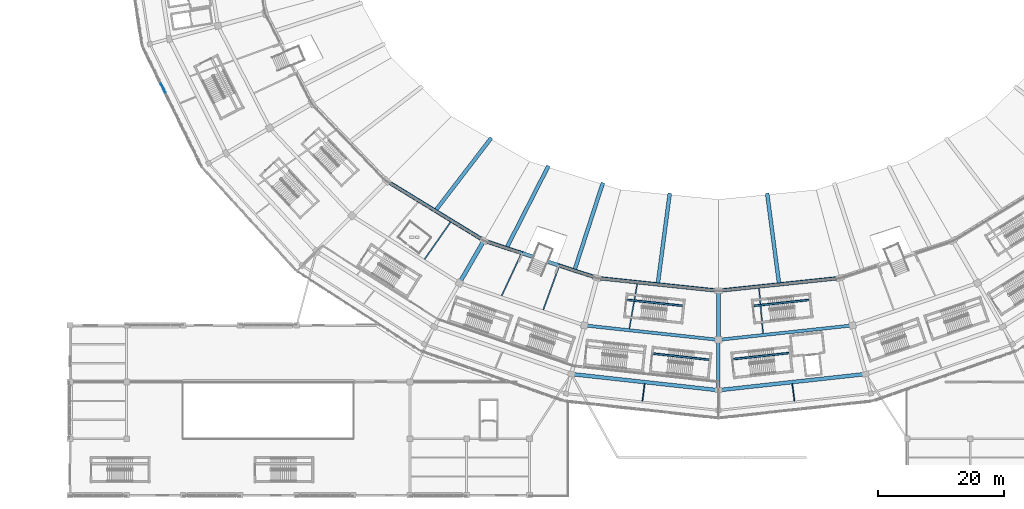
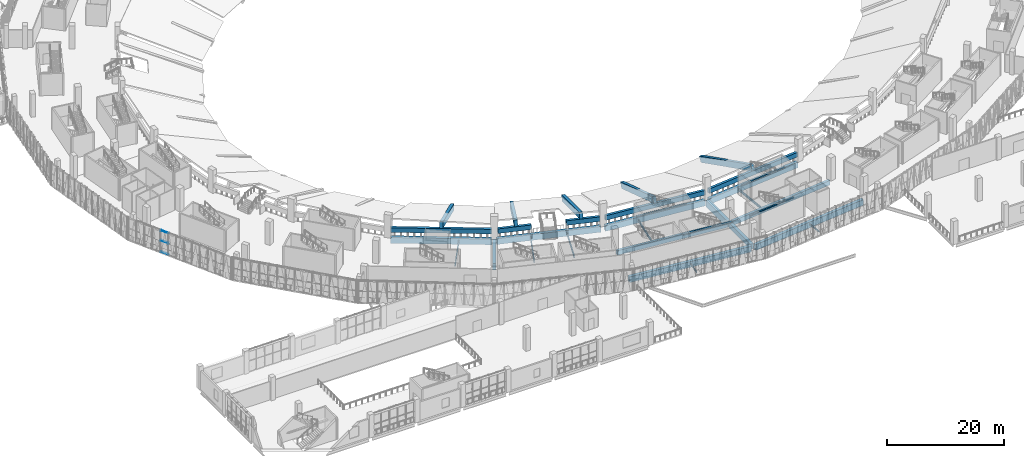
# One storey, part 18 of 183: 32 beams, 3 members, 1 element without a shape of its own.
"""IFC4 building model written with IfcOpenShell, lengths in metres."""

import ifcopenshell
import ifcopenshell.guid

model = None  # the IFC model being written
_history = None  # IfcOwnerHistory: only IFC2X3 demands one
_inside = {}  # id of a spatial element -> (the spatial element, [elements in it])
_under = {}  # id of a project, library or spatial element -> (it, [spatial elements below it])
_declared = {}  # id of a project -> (the project, [libraries it declares])
_typed = {}  # id of a type object -> (the type object, [elements of that type])
_made_of = {}  # id of a material, layer set ... -> (it, [elements and type objects made of it])


def new_model(schema):
    """Start an empty IFC model of exactly this schema.

    Asked for "IFC4X3", IfcOpenShell would pick the latest addendum, in which some entities
    have other attributes; the version numbers below select the first issue.
    IFC2X3 requires an IfcOwnerHistory on every rooted entity: one is made here for all.
    """
    global model, _history
    if schema == "IFC4X3":
        model = ifcopenshell.file(schema_version=(4, 3, 0, 0))
    else:
        model = ifcopenshell.file(schema=schema)
    _inside.clear()
    _under.clear()
    _declared.clear()
    _typed.clear()
    _made_of.clear()
    _history = None
    if model.schema == "IFC2X3":
        org = make("IfcOrganization", Name="unknown")
        user = make(
            "IfcPersonAndOrganization",
            ThePerson=make("IfcPerson", FamilyName="unknown"),
            TheOrganization=org,
        )
        app = make(
            "IfcApplication",
            ApplicationDeveloper=org,
            Version="unknown",
            ApplicationFullName="unknown",
            ApplicationIdentifier="unknown",
        )
        _history = make(
            "IfcOwnerHistory",
            OwningUser=user,
            OwningApplication=app,
            ChangeAction="ADDED",
            CreationDate=0,
        )
    return model


def make(cls, **values):
    """One entity of the class cls with the attributes given. An attribute that is None is left unset."""
    return model.create_entity(
        cls, **{name: value for name, value in values.items() if value is not None}
    )


def rooted(cls, **values):
    """An entity with a GlobalId (a new one), such as an element, a storey or a relation."""
    return make(cls, GlobalId=ifcopenshell.guid.new(), OwnerHistory=_history, **values)


def si_unit(unit_type, name, prefix=None):
    """IfcSIUnit, for example si_unit("LENGTHUNIT", "METRE", prefix="MILLI")."""
    return make("IfcSIUnit", UnitType=unit_type, Prefix=prefix, Name=name)


def assignment(units):
    """IfcUnitAssignment: the units of a project."""
    return None if units is None else make("IfcUnitAssignment", Units=units)


def point(xyz):
    """IfcCartesianPoint."""
    return None if xyz is None else make("IfcCartesianPoint", Coordinates=xyz)


def direction(xyz):
    """IfcDirection."""
    return None if xyz is None else make("IfcDirection", DirectionRatios=xyz)


def frame(location, z_axis=None, x_axis=None):
    """IfcAxis2Placement3D, a coordinate frame: its origin and axes. An axis left out is left unset."""
    return make(
        "IfcAxis2Placement3D",
        Location=point(location),
        Axis=direction(z_axis),
        RefDirection=direction(x_axis),
    )


def frame_2d(location, x_axis=None):
    """IfcAxis2Placement2D, a coordinate frame in the plane: its origin and x axis."""
    return make(
        "IfcAxis2Placement2D", Location=point(location), RefDirection=direction(x_axis)
    )


def origin():
    """The frame at (0, 0, 0) with its axes left unset."""
    return frame((0.0, 0.0, 0.0))


def origin_2d():
    """The frame at (0, 0) in the plane with its x axis left unset."""
    return frame_2d((0.0, 0.0))


def place(relative_to, where):
    """IfcLocalPlacement: puts the frame where relative to a parent placement (None: the world)."""
    return make(
        "IfcLocalPlacement", PlacementRelTo=relative_to, RelativePlacement=where
    )


def context(
    kind, dimensions, precision=None, world=None, true_north=None, identifier=None
):
    """IfcGeometricRepresentationContext, for example the 3D "Model" context."""
    return make(
        "IfcGeometricRepresentationContext",
        ContextIdentifier=identifier,
        ContextType=kind,
        CoordinateSpaceDimension=dimensions,
        Precision=precision,
        WorldCoordinateSystem=world,
        TrueNorth=true_north,
    )


def subcontext(parent, identifier, kind, view, scale=None):
    """IfcGeometricRepresentationSubContext, for example "Body" below "Model"."""
    return make(
        "IfcGeometricRepresentationSubContext",
        ContextIdentifier=identifier,
        ContextType=kind,
        ParentContext=parent,
        TargetScale=scale,
        TargetView=view,
    )


def project(units=None, contexts=None):
    """IfcProject with its units and contexts."""
    return rooted(
        "IfcProject",
        Name="project",
        RepresentationContexts=contexts,
        UnitsInContext=assignment(units),
    )


def spatial(cls, under=None, at=None, **own):
    """A site, building, storey or space (cls), placed at a placement, below another one or the project."""
    s = rooted(cls, ObjectPlacement=at, **own)
    if under is not None:
        _under.setdefault(under.id(), (under, []))[1].append(s)
    return s


def profile(cls, at=None, kind="AREA", **sizes):
    """A parametric profile (cls). Its sizes go by their IFC names, for example OverallWidth=200.0."""
    return make(cls, ProfileType=kind, Position=at, **sizes)


def rectangle(**sizes):
    """IfcRectangleProfileDef."""
    return profile("IfcRectangleProfileDef", **sizes)


def i_section(**sizes):
    """IfcIShapeProfileDef."""
    return profile("IfcIShapeProfileDef", **sizes)


def extrude(swept, where, along, depth):
    """IfcExtrudedAreaSolid: the profile swept, set in the frame where, extruded along a direction by depth."""
    return make(
        "IfcExtrudedAreaSolid",
        SweptArea=swept,
        Position=where,
        ExtrudedDirection=direction(along),
        Depth=depth,
    )


def shape(context_of_items, identifier, shape_type, items):
    """IfcShapeRepresentation: the items that make up one representation, for example the "Body"."""
    return make(
        "IfcShapeRepresentation",
        ContextOfItems=context_of_items,
        RepresentationIdentifier=identifier,
        RepresentationType=shape_type,
        Items=items,
    )


def material(Name=None, Category=None):
    """IfcMaterial."""
    return make("IfcMaterial", Name=Name, Category=Category)


def material_profile(
    of_material, cross_section, Name=None, Category=None, Priority=None
):
    """IfcMaterialProfile: a cross section and its material."""
    return make(
        "IfcMaterialProfile",
        Name=Name,
        Material=of_material,
        Profile=cross_section,
        Priority=Priority,
        Category=Category,
    )


def profile_set(profiles, Name=None, composite=None):
    """IfcMaterialProfileSet."""
    return make(
        "IfcMaterialProfileSet",
        Name=Name,
        MaterialProfiles=profiles,
        CompositeProfile=composite,
    )


def made_of(thing, what):
    """Note that an element or type object is made of a material, layer set ...; save() writes the relation."""
    if what is not None:
        _made_of.setdefault(what.id(), (what, []))[1].append(thing)
    return thing


def type_object(cls, material=None, **own):
    """A type object (cls), such as IfcWallType, which elements share."""
    return made_of(rooted(cls, **own), material)


def element(
    cls,
    number,
    at=None,
    inside=None,
    cuts=None,
    type_object=None,
    material=None,
    context=None,
    identifier="Body",
    shape_type=None,
    held_by="IfcProductDefinitionShape",
    body=None,
    shapes=None,
    **own,
):
    """One element of the class cls, such as IfcWall. Its Tag is "e" and its number.

    at: its placement. inside: the storey or other place that contains it. cuts: it is an
    opening in that element (IfcRelVoidsElement). A single representation is given by context,
    identifier, shape_type and body (its items); several are given by shapes. held_by: the class
    of the entity that holds the representations. save() writes the other relations.
    """
    e = rooted(cls, Tag="e%d" % number, ObjectPlacement=at, **own)
    if body is not None:
        shapes = [shape(context, identifier, shape_type, body)]
    if shapes is not None:
        e.Representation = make(held_by, Representations=shapes)
    if inside is not None:
        _inside.setdefault(inside.id(), (inside, []))[1].append(e)
    if cuts is not None:
        rooted(
            "IfcRelVoidsElement", RelatingBuildingElement=cuts, RelatedOpeningElement=e
        )
    if type_object is not None:
        _typed.setdefault(type_object.id(), (type_object, []))[1].append(e)
    return made_of(e, material)


def aggregate(whole, parts):
    """IfcRelAggregates: a whole, such as a stair, and the parts it consists of."""
    return rooted("IfcRelAggregates", RelatingObject=whole, RelatedObjects=parts)


def save(model, path):
    """Write the relations noted so far, then the file.

    IfcRelAggregates (storeys below a building ...), IfcRelContainedInSpatialStructure (elements
    in a storey), IfcRelDefinesByType, IfcRelAssociatesMaterial and IfcRelDeclares: one each for
    every whole, place, type object, material and project.
    """
    for whole, parts in _under.values():
        aggregate(whole, parts)
    for where, things in _inside.values():
        rooted(
            "IfcRelContainedInSpatialStructure",
            RelatedElements=things,
            RelatingStructure=where,
        )
    for kind, things in _typed.values():
        rooted("IfcRelDefinesByType", RelatedObjects=things, RelatingType=kind)
    for what, things in _made_of.values():
        rooted("IfcRelAssociatesMaterial", RelatedObjects=things, RelatingMaterial=what)
    for by, libraries in _declared.values():
        rooted("IfcRelDeclares", RelatingContext=by, RelatedDefinitions=libraries)
    model.write(path)


model = new_model("IFC4")

# Units and contexts
model_context = context("Model", 3, precision=1e-05, world=origin(), true_north=direction((0.0, 1.0)))
body_context = subcontext(model_context, "Body", "Model", "MODEL_VIEW")
ifc_project = project(units=[si_unit("LENGTHUNIT", "METRE"), si_unit("AREAUNIT", "SQUARE_METRE"), si_unit("VOLUMEUNIT", "CUBIC_METRE"), si_unit("PLANEANGLEUNIT", "RADIAN"), si_unit("MASSUNIT", "GRAM", prefix="KILO")], contexts=[model_context])

# Site, building, storey
site_placement = place(None, origin())
site = spatial("IfcSite", under=ifc_project, at=site_placement, CompositionType="ELEMENT")
building_placement = place(site_placement, origin())
building = spatial("IfcBuilding", under=site, at=building_placement, Name="Zevraka Park Crest Stadium", CompositionType="ELEMENT")
storey_placement = place(building_placement, frame((0.0, 0.0, 5.39990234375)))
storey = spatial("IfcBuildingStorey", under=building, at=storey_placement, Name="L01", CompositionType="ELEMENT", Elevation=5.39990234375)

# Beams
ifc_material_1 = material(Name="Concrete C40/50", Category="concrete")
ifc_material_profile_1 = material_profile(ifc_material_1, rectangle(XDim=0.64990234375, YDim=1.35009765625, at=origin_2d()), Name="RC 1350x650")
ifc_profile_set_1 = profile_set([ifc_material_profile_1], Name="Concrete C40/50")
beam_type_1 = type_object("IfcBeamType", Name="BG01", PredefinedType="BEAM", material=ifc_profile_set_1)
beam_1_placement = place(storey_placement, frame((74.60009765625, 40.2109375, -0.684814453125), z_axis=(-0.500041424909, -0.866001485781, 0.0), x_axis=(0.866001485781, -0.500041424909, 0.0)))
element("IfcBeam", 1, at=beam_1_placement, inside=storey, type_object=beam_type_1, Name="Radial Girder BG01 L01-BC-16", PredefinedType="BEAM", context=body_context, shape_type="SweptSolid", body=[
    extrude(rectangle(XDim=0.64990234375, YDim=1.35009765625, at=origin_2d()), origin(), (0.0, 0.0, 1.0), 7.19970703125),
])
beam_2_placement = place(storey_placement, frame((112.0, 32.199951171875, -0.684814453125), z_axis=(0.0, -1.0, 0.0), x_axis=(1.0, 0.0, 0.0)))
element("IfcBeam", 2, at=beam_2_placement, inside=storey, type_object=beam_type_1, Name="Radial Girder BG01 L01-BC-18", PredefinedType="BEAM", context=body_context, shape_type="SweptSolid", body=[
    extrude(rectangle(XDim=0.64990234375, YDim=1.35009765625, at=origin_2d()), origin(), (0.0, 0.0, 1.0), 7.199951171875),
])
ifc_material_2 = material(Name="Concrete C40/50", Category="concrete")
ifc_material_profile_2 = material_profile(ifc_material_2, rectangle(XDim=0.550048828125, YDim=1.10009765625, at=origin_2d()), Name="RC 1100x550")
ifc_profile_set_2 = profile_set([ifc_material_profile_2], Name="Concrete C40/50")
beam_type_2 = type_object("IfcBeamType", Name="BG02", PredefinedType="BEAM", material=ifc_profile_set_2)
beam_3_placement = place(storey_placement, frame((112.0, 24.39990234375, -0.559814453125), z_axis=(0.0, -1.0, 0.0), x_axis=(1.0, 0.0, 0.0)))
element("IfcBeam", 3, at=beam_3_placement, inside=storey, type_object=beam_type_2, Name="Radial Girder BG02 L01-CD-18", PredefinedType="BEAM", context=body_context, shape_type="SweptSolid", body=[
    extrude(rectangle(XDim=0.550048828125, YDim=1.10009765625, at=origin_2d()), origin(), (0.0, 0.0, 1.0), 7.39990234375),
])

# Curtain wall, members
ifc_material_3 = material(Name="Anodised architectural aluminium and laminated safety glass", Category="aluminium")
curtain_wall_type = type_object("IfcCurtainWallType", Name="CW02", PredefinedType="NOTDEFINED", material=ifc_material_3)
curtain_wall_placement = place(storey_placement, origin())
curtain_wall = element("IfcCurtainWall", 4, at=curtain_wall_placement, inside=storey, type_object=curtain_wall_type, Name="Unitised Ring Curtain Wall CW02 L01-13", PredefinedType="NOTDEFINED")
ifc_material_4 = material(Name="Anodised architectural aluminium", Category="aluminium")
ifc_material_profile_3 = material_profile(ifc_material_4, rectangle(XDim=0.139892578125, YDim=0.06494140625, at=origin_2d()), Name="ALU TRANSOM 140x65")
ifc_profile_set_3 = profile_set([ifc_material_profile_3], Name="Anodised architectural aluminium")
member_type = type_object("IfcMemberType", Name="CT02", PredefinedType="USERDEFINED", material=ifc_profile_set_3)
member_1_placement = place(storey_placement, frame((23.454345703125, 65.38232421875, 0.03271484375), z_axis=(0.441457762434, -0.897282031463, 0.0), x_axis=(0.897282031463, 0.441457762434, 0.0)))
member_1 = element("IfcMember", 5, at=member_1_placement, type_object=member_type, Name="CW02 transom 5.1", ObjectType="TRANSOM", PredefinedType="USERDEFINED", context=body_context, shape_type="SweptSolid", body=[
    extrude(rectangle(XDim=0.139892578125, YDim=0.06494140625, at=origin_2d()), origin(), (0.0, 0.0, 1.0), 1.5634765625),
])
member_2_placement = place(storey_placement, frame((23.454345703125, 65.38232421875, 2.400146484375), z_axis=(0.441457762434, -0.897282031463, 0.0), x_axis=(0.897282031463, 0.441457762434, 0.0)))
member_2 = element("IfcMember", 6, at=member_2_placement, type_object=member_type, Name="CW02 transom 5.2", ObjectType="TRANSOM", PredefinedType="USERDEFINED", context=body_context, shape_type="SweptSolid", body=[
    extrude(rectangle(XDim=0.139892578125, YDim=0.06494140625, at=origin_2d()), origin(), (0.0, 0.0, 1.0), 1.5634765625),
])
member_3_placement = place(storey_placement, frame((23.454345703125, 65.38232421875, 4.487548828125), z_axis=(0.441457762434, -0.897282031463, 0.0), x_axis=(0.897282031463, 0.441457762434, 0.0)))
member_3 = element("IfcMember", 7, at=member_3_placement, type_object=member_type, Name="CW02 transom 5.3", ObjectType="TRANSOM", PredefinedType="USERDEFINED", context=body_context, shape_type="SweptSolid", body=[
    extrude(rectangle(XDim=0.139892578125, YDim=0.06494140625, at=origin_2d()), origin(), (0.0, 0.0, 1.0), 1.5634765625),
])
aggregate(curtain_wall, [member_1, member_2, member_3])

# Beams
ifc_material_5 = material(Name="Concrete C40/50", Category="concrete")
ifc_material_profile_4 = material_profile(ifc_material_5, rectangle(XDim=0.60009765625, YDim=1.199951171875, at=origin_2d()), Name="RC 1200x600")
ifc_profile_set_4 = profile_set([ifc_material_profile_4], Name="Concrete C40/50")
beam_type_3 = type_object("IfcBeamType", Name="RB01", PredefinedType="BEAM", material=ifc_profile_set_4)
beam_4_placement = place(storey_placement, frame((59.64501953125, 49.72802734375, -0.60986328125), z_axis=(0.852632623571, -0.522510869956, 0.0), x_axis=(0.522510869956, 0.852632623571, 0.0)))
element("IfcBeam", 8, at=beam_4_placement, inside=storey, type_object=beam_type_3, Name="Ring Beam RB01 L01-B-15", PredefinedType="BEAM", context=body_context, shape_type="SweptSolid", body=[
    extrude(rectangle(XDim=0.60009765625, YDim=1.199951171875, at=origin_2d()), origin(), (0.0, 0.0, 1.0), 17.335693359375),
])
beam_5_placement = place(storey_placement, frame((75.111083984375, 40.35205078125, -0.60986328125), z_axis=(0.949383863235, -0.314118258349, 0.0), x_axis=(0.314118258349, 0.949383863235, 0.0)))
element("IfcBeam", 9, at=beam_5_placement, inside=storey, type_object=beam_type_3, Name="Ring Beam RB01 L01-B-16", PredefinedType="BEAM", context=body_context, shape_type="SweptSolid", body=[
    extrude(rectangle(XDim=0.60009765625, YDim=1.199951171875, at=origin_2d()), origin(), (0.0, 0.0, 1.0), 18.165283203125),
])
beam_6_placement = place(storey_placement, frame((93.095947265625, 34.487060546875, -0.60986328125), z_axis=(0.994522746434, -0.1045203656, 0.0), x_axis=(0.1045203656, 0.994522746434, 0.0)))
element("IfcBeam", 10, at=beam_6_placement, inside=storey, type_object=beam_type_3, Name="Ring Beam RB01 L01-B-17", PredefinedType="BEAM", context=body_context, shape_type="SweptSolid", body=[
    extrude(rectangle(XDim=0.60009765625, YDim=1.199951171875, at=origin_2d()), origin(), (0.0, 0.0, 1.0), 18.628173828125),
])
beam_7_placement = place(storey_placement, frame((89.007080078125, 19.22509765625, -0.60986328125), z_axis=(0.994021150509, -0.109187693174, 0.0), x_axis=(0.109187693174, 0.994021150509, 0.0)))
element("IfcBeam", 11, at=beam_7_placement, inside=storey, type_object=beam_type_3, Name="Ring Beam RB01 L01-D-17", PredefinedType="BEAM", context=body_context, shape_type="SweptSolid", body=[
    extrude(rectangle(XDim=0.60009765625, YDim=1.199951171875, at=origin_2d()), origin(), (0.0, 0.0, 1.0), 22.7509765625),
])
beam_8_placement = place(storey_placement, frame((112.3779296875, 32.5400390625, -0.60986328125), z_axis=(0.994522746434, 0.1045203656, 0.0), x_axis=(-0.1045203656, 0.994522746434, 0.0)))
element("IfcBeam", 12, at=beam_8_placement, inside=storey, type_object=beam_type_3, Name="Ring Beam RB01 L01-B-18", PredefinedType="BEAM", context=body_context, shape_type="SweptSolid", body=[
    extrude(rectangle(XDim=0.60009765625, YDim=1.199951171875, at=origin_2d()), origin(), (0.0, 0.0, 1.0), 18.628173828125),
])
beam_9_placement = place(storey_placement, frame((112.3779296875, 16.740966796875, -0.60986328125), z_axis=(0.994021150509, 0.109187693174, 0.0), x_axis=(-0.109187693174, 0.994021150509, 0.0)))
element("IfcBeam", 13, at=beam_9_placement, inside=storey, type_object=beam_type_3, Name="Ring Beam RB01 L01-D-18", PredefinedType="BEAM", context=body_context, shape_type="SweptSolid", body=[
    extrude(rectangle(XDim=0.60009765625, YDim=1.199951171875, at=origin_2d()), origin(), (0.0, 0.0, 1.0), 22.7509765625),
])
ifc_material_6 = material(Name="Concrete C40/50", Category="concrete")
ifc_material_profile_5 = material_profile(ifc_material_6, rectangle(XDim=0.5, YDim=0.949951171875, at=origin_2d()), Name="RC 950x500")
ifc_profile_set_5 = profile_set([ifc_material_profile_5], Name="Concrete C40/50")
beam_type_4 = type_object("IfcBeamType", Name="RB02", PredefinedType="BEAM", material=ifc_profile_set_5)
for number, where, z_axis, x_axis, name in (
    (14, (91.076904296875, 26.951904296875, -0.48486328125), (0.994259477334, -0.106995755668, 0.0), (0.106995755668, 0.994259477334, 0.0), "Ring Beam RB02 L01-C-17"),
    (15, (112.3779296875, 24.740966796875, -0.48486328125), (0.994259477334, 0.106995755668, 0.0), (-0.106995755668, 0.994259477334, 0.0), "Ring Beam RB02 L01-C-18"),
):
    element("IfcBeam", number, at=place(storey_placement, frame(where, z_axis=z_axis, x_axis=x_axis)), inside=storey, type_object=beam_type_4, Name=name, PredefinedType="BEAM", context=body_context, shape_type="SweptSolid", body=[
        extrude(rectangle(XDim=0.5, YDim=0.949951171875, at=origin_2d()), origin(), (0.0, 0.0, 1.0), 20.663818359375),
    ])
beam_10_placement = place(storey_placement, frame((59.64501953125, 49.72802734375, 1.505126953125), z_axis=(0.852632623571, -0.522510869956, 0.0), x_axis=(0.522510869956, 0.852632623571, 0.0)))
element("IfcBeam", 16, at=beam_10_placement, inside=storey, type_object=beam_type_4, Name="Lower Tier Head Raker Ring Beam RB02 15", PredefinedType="BEAM", context=body_context, shape_type="SweptSolid", body=[
    extrude(rectangle(XDim=0.5, YDim=0.949951171875, at=origin_2d()), origin(), (0.0, 0.0, 1.0), 17.335693359375),
])
for number, where, z_axis, x_axis, name in (
    (17, (75.2890625, 40.29296875, 1.505126953125), (0.949375956717, -0.31414215382, 0.0), (0.31414215382, 0.949375956717, 0.0), "Lower Tier Head Raker Ring Beam RB02 16-1"),
    (18, (86.60888671875, 36.548095703125, 1.505126953125), (0.949380063139, -0.314129743442, 0.0), (0.314129743442, 0.949380063139, 0.0), "Lower Tier Head Raker Ring Beam RB02 16-2"),
):
    element("IfcBeam", number, at=place(storey_placement, frame(where, z_axis=z_axis, x_axis=x_axis)), inside=storey, type_object=beam_type_4, Name=name, PredefinedType="BEAM", context=body_context, shape_type="SweptSolid", body=[
        extrude(rectangle(XDim=0.5, YDim=0.949951171875, at=origin_2d()), origin(), (0.0, 0.0, 1.0), 5.866943359375),
    ])
for number, where, z_axis, x_axis, name in (
    (19, (93.095947265625, 34.487060546875, 1.505126953125), (0.994522746434, -0.1045203656, 0.0), (0.1045203656, 0.994522746434, 0.0), "Lower Tier Head Raker Ring Beam RB02 17"),
    (20, (112.3779296875, 32.5400390625, 1.505126953125), (0.994522746434, 0.1045203656, 0.0), (-0.1045203656, 0.994522746434, 0.0), "Lower Tier Head Raker Ring Beam RB02 18"),
):
    element("IfcBeam", number, at=place(storey_placement, frame(where, z_axis=z_axis, x_axis=x_axis)), inside=storey, type_object=beam_type_4, Name=name, PredefinedType="BEAM", context=body_context, shape_type="SweptSolid", body=[
        extrude(rectangle(XDim=0.5, YDim=0.949951171875, at=origin_2d()), origin(), (0.0, 0.0, 1.0), 18.628173828125),
    ])
ifc_material_7 = material(Name="Concrete C40/50", Category="concrete")
ifc_material_profile_6 = material_profile(ifc_material_7, rectangle(XDim=0.60009765625, YDim=1.199951171875, at=origin_2d()), Name="RC 1200x600")
ifc_profile_set_6 = profile_set([ifc_material_profile_6], Name="Concrete C40/50")
beam_type_5 = type_object("IfcBeamType", Name="RK01", PredefinedType="BEAM", material=ifc_profile_set_6)
beam_11_placement = place(storey_placement, frame((75.787109375, 56.60400390625, -3.64990234375), z_axis=(-0.55912472884, -0.728679361355, 0.39548189078), x_axis=(0.793358919709, -0.608754157701, 0.0)))
element("IfcBeam", 21, at=beam_11_placement, inside=storey, type_object=beam_type_5, Name="Lower Bowl Raker Girder RK01 15", PredefinedType="BEAM", context=body_context, shape_type="SweptSolid", body=[
    extrude(rectangle(XDim=0.60009765625, YDim=1.199951171875, at=origin_2d()), origin(), (0.0, 0.0, 1.0), 15.651611328125),
])
beam_12_placement = place(storey_placement, frame((84.89404296875, 52.1298828125, -3.64990234375), z_axis=(-0.417372414176, -0.818674691416, 0.39442618767), x_axis=(0.890902251641, -0.454195088063, 0.0)))
element("IfcBeam", 22, at=beam_12_placement, inside=storey, type_object=beam_type_5, Name="Lower Bowl Raker Girder RK01 16-1", PredefinedType="BEAM", context=body_context, shape_type="SweptSolid", body=[
    extrude(rectangle(XDim=0.60009765625, YDim=1.199951171875, at=origin_2d()), origin(), (0.0, 0.0, 1.0), 15.693603515625),
])
beam_13_placement = place(storey_placement, frame((93.576904296875, 49.431884765625, -3.64990234375), z_axis=(-0.283751225252, -0.874014136446, 0.394442050827), x_axis=(0.95113106587, -0.308787460135, 0.0)))
element("IfcBeam", 23, at=beam_13_placement, inside=storey, type_object=beam_type_5, Name="Lower Bowl Raker Girder RK01 16-2", PredefinedType="BEAM", context=body_context, shape_type="SweptSolid", body=[
    extrude(rectangle(XDim=0.60009765625, YDim=1.199951171875, at=origin_2d()), origin(), (0.0, 0.0, 1.0), 15.69287109375),
])
for number, where, z_axis, x_axis, name in (
    (24, (104.236083984375, 47.76611328125, -3.64990234375), (-0.11993845538, -0.91060569771, 0.395489608232), (0.991437118626, -0.130584990752, 0.0), "Lower Bowl Raker Girder RK01 17"),
    (25, (119.763916015625, 47.76611328125, -3.64990234375), (0.11993845538, -0.91060569771, 0.395489608232), (0.991437118626, 0.130584990752, 0.0), "Lower Bowl Raker Girder RK01 18"),
):
    element("IfcBeam", number, at=place(storey_placement, frame(where, z_axis=z_axis, x_axis=x_axis)), inside=storey, type_object=beam_type_5, Name=name, PredefinedType="BEAM", context=body_context, shape_type="SweptSolid", body=[
        extrude(rectangle(XDim=0.60009765625, YDim=1.199951171875, at=origin_2d()), origin(), (0.0, 0.0, 1.0), 15.6513671875),
    ])
ifc_material_8 = material(Name="Steel S355", Category="steel")
ifc_material_profile_7 = material_profile(ifc_material_8, i_section(OverallWidth=0.14990234375, OverallDepth=0.300048828125, WebThickness=0.007080078125, FlangeThickness=0.0107421875, at=origin_2d()), Name="IPE 300")
ifc_profile_set_7 = profile_set([ifc_material_profile_7], Name="Steel S355")
beam_type_6 = type_object("IfcBeamType", Name="SJ01", PredefinedType="JOIST", material=ifc_profile_set_7)
for number, where, z_axis, x_axis, name in (
    (26, (100.27587890625, 17.69091796875, -0.4580078125), (-0.13058389889, -0.991437262438, 0.0), (0.991437262438, -0.13058389889, 0.0), "Floor Joist SJ01 L01-DE-17-1"),
    (27, (123.72412109375, 17.69091796875, -0.4580078125), (0.13058389889, -0.991437262438, 0.0), (0.991437262438, 0.13058389889, 0.0), "Floor Joist SJ01 L01-DE-18-1"),
):
    element("IfcBeam", number, at=place(storey_placement, frame(where, z_axis=z_axis, x_axis=x_axis)), inside=storey, type_object=beam_type_6, Name=name, PredefinedType="JOIST", context=body_context, shape_type="SweptSolid", body=[
        extrude(i_section(OverallWidth=0.14990234375, OverallDepth=0.300048828125, WebThickness=0.007080078125, FlangeThickness=0.0107421875, at=origin_2d()), origin(), (0.0, 0.0, 1.0), 2.7333984375),
    ])
ifc_material_9 = material(Name="Steel S355", Category="steel")
ifc_material_profile_8 = material_profile(ifc_material_9, i_section(OverallWidth=0.18994140625, OverallDepth=0.449951171875, WebThickness=0.009521484375, FlangeThickness=0.0146484375, at=origin_2d()), Name="IPE 450")
ifc_profile_set_8 = profile_set([ifc_material_profile_8], Name="Steel S355")
beam_type_7 = type_object("IfcBeamType", Name="SJ03", PredefinedType="JOIST", material=ifc_profile_set_8)
for number, where, z_axis, x_axis, name in (
    (28, (69.426025390625, 43.364990234375, -0.532958984375), (-0.573350525279, -0.819310182509, 0.0), (0.819310182509, -0.573350525279, 0.0), "Floor Joist SJ03 L01-BC-15-2"),
    (29, (80.60595703125, 38.2041015625, -0.532958984375), (-0.422799841013, -0.906223093085, 0.0), (0.906223093085, -0.422799841013, 0.0), "Floor Joist SJ03 L01-BC-16-1"),
):
    element("IfcBeam", number, at=place(storey_placement, frame(where, z_axis=z_axis, x_axis=x_axis)), inside=storey, type_object=beam_type_7, Name=name, PredefinedType="JOIST", context=body_context, shape_type="SweptSolid", body=[
        extrude(i_section(OverallWidth=0.18994140625, OverallDepth=0.449951171875, WebThickness=0.009521484375, FlangeThickness=0.0146484375, at=origin_2d()), origin(), (0.0, 0.0, 1.0), 7.180419921875),
    ])
beam_14_placement = place(storey_placement, frame((86.62109375, 36.2119140625, -0.532958984375), z_axis=(-0.341906854884, -0.939733846673, 0.0), x_axis=(0.939733846673, -0.341906854884, 0.0)))
element("IfcBeam", 30, at=beam_14_placement, inside=storey, type_object=beam_type_7, Name="Floor Joist SJ03 L01-BC-16-2", PredefinedType="JOIST", context=body_context, shape_type="SweptSolid", body=[
    extrude(i_section(OverallWidth=0.18994140625, OverallDepth=0.449951171875, WebThickness=0.009521484375, FlangeThickness=0.0146484375, at=origin_2d()), origin(), (0.0, 0.0, 1.0), 7.1806640625),
])
beam_15_placement = place(storey_placement, frame((99.091064453125, 33.541015625, -0.532958984375), z_axis=(-0.173946320312, -0.984755135884, 0.0), x_axis=(0.984755135884, -0.173946320312, 0.0)))
element("IfcBeam", 31, at=beam_15_placement, inside=storey, type_object=beam_type_7, Name="Floor Joist SJ03 L01-BC-17-1", PredefinedType="JOIST", context=body_context, shape_type="SweptSolid", body=[
    extrude(i_section(OverallWidth=0.18994140625, OverallDepth=0.449951171875, WebThickness=0.009521484375, FlangeThickness=0.0146484375, at=origin_2d()), origin(), (0.0, 0.0, 1.0), 7.180419921875),
])
beam_16_placement = place(storey_placement, frame((118.455078125, 32.862060546875, -0.532958984375), z_axis=(0.086896614952, -0.996217334877, 0.0), x_axis=(0.996217334877, 0.086896614952, 0.0)))
element("IfcBeam", 32, at=beam_16_placement, inside=storey, type_object=beam_type_7, Name="Floor Joist SJ03 L01-BC-18-1", PredefinedType="JOIST", context=body_context, shape_type="SweptSolid", body=[
    extrude(i_section(OverallWidth=0.18994140625, OverallDepth=0.449951171875, WebThickness=0.009521484375, FlangeThickness=0.0146484375, at=origin_2d()), origin(), (0.0, 0.0, 1.0), 7.18115234375),
])
ifc_material_10 = material(Name="Concrete C40/50", Category="concrete")
ifc_material_profile_9 = material_profile(ifc_material_10, rectangle(XDim=0.280029296875, YDim=0.199951171875, at=origin_2d()), Name="RC 200x280")
ifc_profile_set_9 = profile_set([ifc_material_profile_9], Name="Concrete C40/50")
beam_type_8 = type_object("IfcBeamType", Name="SJ13", PredefinedType="JOIST", material=ifc_profile_set_9)
for number, where, z_axis, x_axis, name in (
    (33, (114.22802734375, 21.62841796875, 2.300048828125), (0.994127809114, 0.108212287404, 0.0), (-0.108212287404, 0.994127809114, 0.0), "Stair Upper-Flight Longitudinal Stringer SJ13 ST19-L01"),
    (34, (101.52001953125, 22.527099609375, 2.300048828125), (0.994127809114, -0.108212287404, 0.0), (0.108212287404, 0.994127809114, 0.0), "Stair Upper-Flight Longitudinal Stringer SJ13 ST30-L01"),
):
    element("IfcBeam", number, at=place(storey_placement, frame(where, z_axis=z_axis, x_axis=x_axis)), inside=storey, type_object=beam_type_8, Name=name, PredefinedType="JOIST", context=body_context, shape_type="SweptSolid", body=[
        extrude(rectangle(XDim=0.280029296875, YDim=0.199951171875, at=origin_2d()), origin(), (0.0, 0.0, 1.0), 9.25),
    ])
beam_17_placement = place(storey_placement, frame((97.400390625, 31.063720703125, 2.300048828125), z_axis=(0.994382402051, -0.105847241304, 0.0), x_axis=(0.105847241304, 0.994382402051, 0.0)))
element("IfcBeam", 35, at=beam_17_placement, inside=storey, type_object=beam_type_8, Name="Stair Upper-Flight Longitudinal Stringer SJ13 ST41-L01", PredefinedType="JOIST", context=body_context, shape_type="SweptSolid", body=[
    extrude(rectangle(XDim=0.280029296875, YDim=0.199951171875, at=origin_2d()), origin(), (0.0, 0.0, 1.0), 9.150146484375),
])
beam_18_placement = place(storey_placement, frame((117.500732421875, 30.095703125, 2.300048828125), z_axis=(0.994382103104, 0.105850049723, 0.0), x_axis=(-0.105850049723, 0.994382103104, 0.0)))
element("IfcBeam", 36, at=beam_18_placement, inside=storey, type_object=beam_type_8, Name="Stair Upper-Flight Longitudinal Stringer SJ13 ST42-L01", PredefinedType="JOIST", context=body_context, shape_type="SweptSolid", body=[
    extrude(rectangle(XDim=0.280029296875, YDim=0.199951171875, at=origin_2d()), origin(), (0.0, 0.0, 1.0), 9.14990234375),
])

save(model, "model.ifc")
